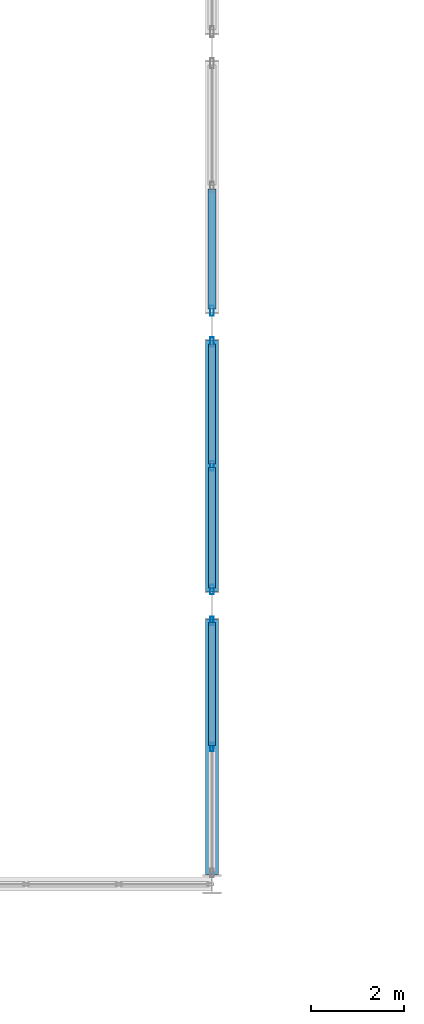
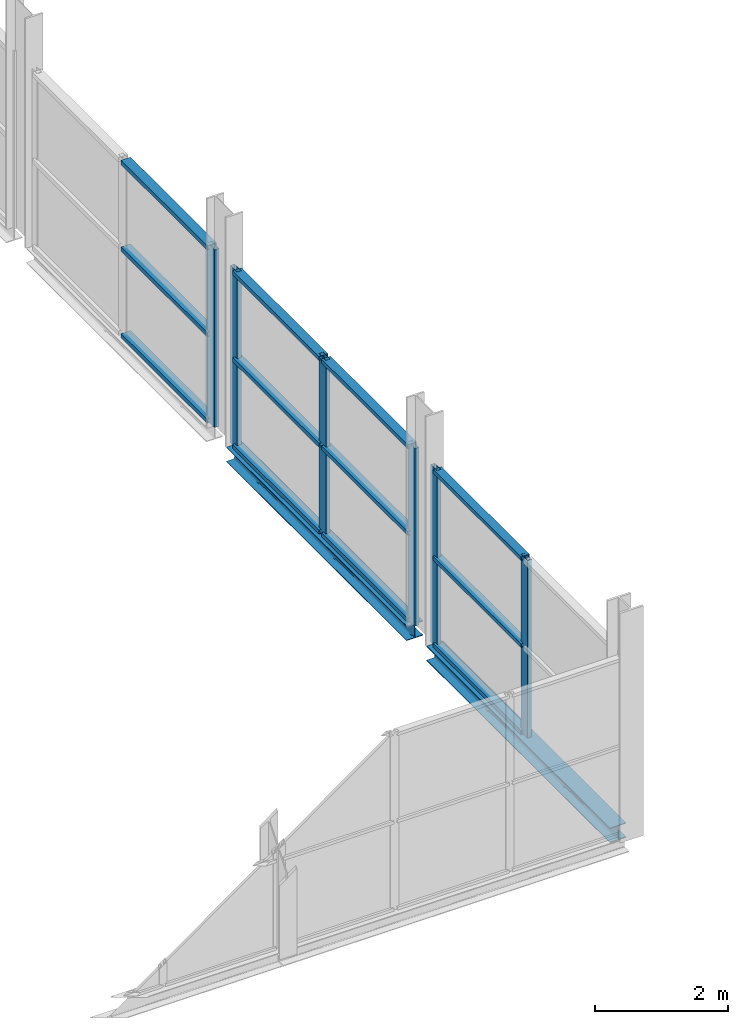
# One storey, part 32 of 135: 18 members, 2 beams, 3 elements without a shape of their own.
"""IFC4 building model written with IfcOpenShell, lengths in metres."""

from ifc_helpers import new_model, si_unit, direction, frame, origin, origin_2d, place, context, subcontext, project, spatial, hollow_rectangle, i_section, extrude, material, layer, layer_set, material_profile, profile_set, type_object, element, aggregate, save


model = new_model("IFC4")

# Units and contexts
model_context = context("Model", 3, precision=1e-05, world=origin(), true_north=direction((0.0, 1.0)))
body_context = subcontext(model_context, "Body", "Model", "MODEL_VIEW")
ifc_project = project(units=[si_unit("LENGTHUNIT", "METRE"), si_unit("AREAUNIT", "SQUARE_METRE"), si_unit("VOLUMEUNIT", "CUBIC_METRE"), si_unit("PLANEANGLEUNIT", "RADIAN"), si_unit("MASSUNIT", "GRAM", prefix="KILO")], contexts=[model_context])

# Site, building, storey
site_placement = place(None, origin())
site = spatial("IfcSite", under=ifc_project, at=site_placement, CompositionType="ELEMENT")
building_placement = place(site_placement, origin())
building = spatial("IfcBuilding", under=site, at=building_placement, Name="Deido Ridge Mobility Hub", CompositionType="ELEMENT")
storey_placement = place(building_placement, frame((0.0, 0.0, 4.199951171875)))
storey = spatial("IfcBuildingStorey", under=building, at=storey_placement, Name="L01", CompositionType="ELEMENT", Elevation=4.199951171875)

# Curtain wall, members
ifc_material_1 = material(Name="Anodised aluminium EN AW-6063 T6", Category="aluminium")
ifc_layer_1 = layer(ifc_material_1, 0.239990234375, Name="Anodised aluminium EN AW-6063 T6")
ifc_layer_set_1 = layer_set([ifc_layer_1], Name="Anodised aluminium EN AW-6063 T6")
curtain_wall_type_1 = type_object("IfcCurtainWallType", Name="CW-UF-6", PredefinedType="USERDEFINED", material=ifc_layer_set_1)
curtain_wall_1_placement = place(storey_placement, origin())
curtain_wall_1 = element("IfcCurtainWall", 1, at=curtain_wall_1_placement, inside=storey, type_object=curtain_wall_type_1, Name="Unitised curtain wall CW6", ObjectType="UNITISED FACADE", PredefinedType="USERDEFINED")
ifc_material_profile_1 = material_profile(ifc_material_1, hollow_rectangle(XDim=0.070068359375, YDim=0.18994140625, WallThickness=0.00390625, at=origin_2d()), Name="RHS 70x190x4")
ifc_profile_set_1 = profile_set([ifc_material_profile_1], Name="Anodised aluminium EN AW-6063 T6")
member_type_1 = type_object("IfcMemberType", Name="MEM-MUL-70X190", PredefinedType="MULLION", material=ifc_profile_set_1)
member_1_placement = place(storey_placement, frame((60.0, 2.9541015625, 0.0), z_axis=(0.0, 0.0, 1.0), x_axis=(-1.0, 0.0, 0.0)))
member_1 = element("IfcMember", 2, at=member_1_placement, type_object=member_type_1, Name="CW6 mullion 2", PredefinedType="MULLION", context=body_context, shape_type="SweptSolid", body=[
    extrude(hollow_rectangle(XDim=0.070068359375, YDim=0.18994140625, WallThickness=0.00390625, at=origin_2d()), origin(), (0.0, 0.0, 1.0), 3.25),
])
member_2_placement = place(storey_placement, frame((60.0, 5.6650390625, 0.0), z_axis=(0.0, 0.0, 1.0), x_axis=(-1.0, 0.0, 0.0)))
member_2 = element("IfcMember", 3, at=member_2_placement, type_object=member_type_1, Name="CW6 mullion 3", PredefinedType="MULLION", context=body_context, shape_type="SweptSolid", body=[
    extrude(hollow_rectangle(XDim=0.070068359375, YDim=0.18994140625, WallThickness=0.00390625, at=origin_2d()), origin(), (0.0, 0.0, 1.0), 3.25),
])

ifc_layer_2 = layer(ifc_material_1, 0.2548828125, Name="Anodised aluminium EN AW-6063 T6")
ifc_layer_set_2 = layer_set([ifc_layer_2], Name="Anodised aluminium EN AW-6063 T6")
curtain_wall_type_2 = type_object("IfcCurtainWallType", Name="CW-UF-7", PredefinedType="USERDEFINED", material=ifc_layer_set_2)
curtain_wall_2_placement = place(storey_placement, origin())
curtain_wall_2 = element("IfcCurtainWall", 4, at=curtain_wall_2_placement, inside=storey, type_object=curtain_wall_type_2, Name="Unitised curtain wall CW7", ObjectType="UNITISED FACADE", PredefinedType="USERDEFINED")
ifc_material_profile_2 = material_profile(ifc_material_1, hollow_rectangle(XDim=0.074951171875, YDim=0.205078125, WallThickness=0.00390625, at=origin_2d()), Name="RHS 75x205x4")
ifc_profile_set_2 = profile_set([ifc_material_profile_2], Name="Anodised aluminium EN AW-6063 T6")
member_type_2 = type_object("IfcMemberType", Name="MEM-MUL-75X205", PredefinedType="MULLION", material=ifc_profile_set_2)
member_3_placement = place(storey_placement, frame((60.0, 6.33740234375, 0.0), z_axis=(0.0, 0.0, 1.0), x_axis=(-1.0, 0.0, 0.0)))
member_3 = element("IfcMember", 5, at=member_3_placement, type_object=member_type_2, Name="CW7 mullion 1", PredefinedType="MULLION", context=body_context, shape_type="SweptSolid", body=[
    extrude(hollow_rectangle(XDim=0.074951171875, YDim=0.205078125, WallThickness=0.00390625, at=origin_2d()), origin(), (0.0, 0.0, 1.0), 3.25),
])
member_4_placement = place(storey_placement, frame((60.0, 9.0, 0.0), z_axis=(0.0, 0.0, 1.0), x_axis=(-1.0, 0.0, 0.0)))
member_4 = element("IfcMember", 6, at=member_4_placement, type_object=member_type_2, Name="CW7 mullion 2", PredefinedType="MULLION", context=body_context, shape_type="SweptSolid", body=[
    extrude(hollow_rectangle(XDim=0.074951171875, YDim=0.205078125, WallThickness=0.00390625, at=origin_2d()), origin(), (0.0, 0.0, 1.0), 3.25),
])
member_5_placement = place(storey_placement, frame((60.0, 11.66259765625, 0.0), z_axis=(0.0, 0.0, 1.0), x_axis=(-1.0, 0.0, 0.0)))
member_5 = element("IfcMember", 7, at=member_5_placement, type_object=member_type_2, Name="CW7 mullion 3", PredefinedType="MULLION", context=body_context, shape_type="SweptSolid", body=[
    extrude(hollow_rectangle(XDim=0.074951171875, YDim=0.205078125, WallThickness=0.00390625, at=origin_2d()), origin(), (0.0, 0.0, 1.0), 3.25),
])

# Curtain wall, member
ifc_layer_3 = layer(ifc_material_1, 0.27001953125, Name="Anodised aluminium EN AW-6063 T6")
ifc_layer_set_3 = layer_set([ifc_layer_3], Name="Anodised aluminium EN AW-6063 T6")
curtain_wall_type_3 = type_object("IfcCurtainWallType", Name="CW-UF-8", PredefinedType="USERDEFINED", material=ifc_layer_set_3)
curtain_wall_3_placement = place(storey_placement, origin())
curtain_wall_3 = element("IfcCurtainWall", 8, at=curtain_wall_3_placement, inside=storey, type_object=curtain_wall_type_3, Name="Unitised curtain wall CW8", ObjectType="UNITISED FACADE", PredefinedType="USERDEFINED")
ifc_material_profile_3 = material_profile(ifc_material_1, hollow_rectangle(XDim=0.080078125, YDim=0.219970703125, WallThickness=0.00390625, at=origin_2d()), Name="RHS 80x220x4")
ifc_profile_set_3 = profile_set([ifc_material_profile_3], Name="Anodised aluminium EN AW-6063 T6")
member_type_3 = type_object("IfcMemberType", Name="MEM-MUL-80X220", PredefinedType="MULLION", material=ifc_profile_set_3)
member_6_placement = place(storey_placement, frame((60.0, 12.340087890625, 0.0), z_axis=(0.0, 0.0, 1.0), x_axis=(-1.0, 0.0, 0.0)))
member_6 = element("IfcMember", 9, at=member_6_placement, type_object=member_type_3, Name="CW8 mullion 1", PredefinedType="MULLION", context=body_context, shape_type="SweptSolid", body=[
    extrude(hollow_rectangle(XDim=0.080078125, YDim=0.219970703125, WallThickness=0.00390625, at=origin_2d()), origin(), (0.0, 0.0, 1.0), 3.25),
])

# Member
ifc_material_profile_4 = material_profile(ifc_material_1, hollow_rectangle(XDim=0.14501953125, YDim=0.070068359375, WallThickness=0.00390625, at=origin_2d()), Name="RHS 145x70x4")
ifc_profile_set_4 = profile_set([ifc_material_profile_4], Name="Anodised aluminium EN AW-6063 T6")
member_type_4 = type_object("IfcMemberType", Name="MEM-TRN-145X70", PredefinedType="USERDEFINED", material=ifc_profile_set_4)
member_7_placement = place(storey_placement, frame((60.0, 2.989013671875, 0.03515625), z_axis=(0.0, 1.0, 0.0), x_axis=(-1.0, 0.0, 0.0)))
member_7 = element("IfcMember", 10, at=member_7_placement, type_object=member_type_4, Name="CW6 transom 2.1", ObjectType="TRANSOM", PredefinedType="USERDEFINED", context=body_context, shape_type="SweptSolid", body=[
    extrude(hollow_rectangle(XDim=0.14501953125, YDim=0.070068359375, WallThickness=0.00390625, at=origin_2d()), origin(), (0.0, 0.0, 1.0), 2.640869140625),
])

member_8_placement = place(storey_placement, frame((60.0, 2.989013671875, 1.625), z_axis=(0.0, 1.0, 0.0), x_axis=(-1.0, 0.0, 0.0)))
member_8 = element("IfcMember", 11, at=member_8_placement, type_object=member_type_4, Name="CW6 transom 2.2", ObjectType="TRANSOM", PredefinedType="USERDEFINED", context=body_context, shape_type="SweptSolid", body=[
    extrude(hollow_rectangle(XDim=0.14501953125, YDim=0.070068359375, WallThickness=0.00390625, at=origin_2d()), origin(), (0.0, 0.0, 1.0), 2.640869140625),
])

member_9_placement = place(storey_placement, frame((60.0, 2.989013671875, 3.215087890625), z_axis=(0.0, 1.0, 0.0), x_axis=(-1.0, 0.0, 0.0)))
member_9 = element("IfcMember", 12, at=member_9_placement, type_object=member_type_4, Name="CW6 transom 2.3", ObjectType="TRANSOM", PredefinedType="USERDEFINED", context=body_context, shape_type="SweptSolid", body=[
    extrude(hollow_rectangle(XDim=0.14501953125, YDim=0.070068359375, WallThickness=0.00390625, at=origin_2d()), origin(), (0.0, 0.0, 1.0), 2.640869140625),
])

aggregate(curtain_wall_1, [member_1, member_2, member_7, member_8, member_9])

ifc_material_profile_5 = material_profile(ifc_material_1, hollow_rectangle(XDim=0.155029296875, YDim=0.074951171875, WallThickness=0.00390625, at=origin_2d()), Name="RHS 155x75x4")
ifc_profile_set_5 = profile_set([ifc_material_profile_5], Name="Anodised aluminium EN AW-6063 T6")
member_type_5 = type_object("IfcMemberType", Name="MEM-TRN-155X75", PredefinedType="USERDEFINED", material=ifc_profile_set_5)
member_10_placement = place(storey_placement, frame((60.0, 6.375, 0.03759765625), z_axis=(0.0, 1.0, 0.0), x_axis=(-1.0, 0.0, 0.0)))
member_10 = element("IfcMember", 13, at=member_10_placement, type_object=member_type_5, Name="CW7 transom 1.1", ObjectType="TRANSOM", PredefinedType="USERDEFINED", context=body_context, shape_type="SweptSolid", body=[
    extrude(hollow_rectangle(XDim=0.155029296875, YDim=0.074951171875, WallThickness=0.00390625, at=origin_2d()), origin(), (0.0, 0.0, 1.0), 2.58740234375),
])

member_11_placement = place(storey_placement, frame((60.0, 6.375, 1.625), z_axis=(0.0, 1.0, 0.0), x_axis=(-1.0, 0.0, 0.0)))
member_11 = element("IfcMember", 14, at=member_11_placement, type_object=member_type_5, Name="CW7 transom 1.2", ObjectType="TRANSOM", PredefinedType="USERDEFINED", context=body_context, shape_type="SweptSolid", body=[
    extrude(hollow_rectangle(XDim=0.155029296875, YDim=0.074951171875, WallThickness=0.00390625, at=origin_2d()), origin(), (0.0, 0.0, 1.0), 2.58740234375),
])

member_12_placement = place(storey_placement, frame((60.0, 6.375, 3.212646484375), z_axis=(0.0, 1.0, 0.0), x_axis=(-1.0, 0.0, 0.0)))
member_12 = element("IfcMember", 15, at=member_12_placement, type_object=member_type_5, Name="CW7 transom 1.3", ObjectType="TRANSOM", PredefinedType="USERDEFINED", context=body_context, shape_type="SweptSolid", body=[
    extrude(hollow_rectangle(XDim=0.155029296875, YDim=0.074951171875, WallThickness=0.00390625, at=origin_2d()), origin(), (0.0, 0.0, 1.0), 2.58740234375),
])

member_13_placement = place(storey_placement, frame((60.0, 9.03759765625, 0.03759765625), z_axis=(0.0, 1.0, 0.0), x_axis=(-1.0, 0.0, 0.0)))
member_13 = element("IfcMember", 16, at=member_13_placement, type_object=member_type_5, Name="CW7 transom 2.1", ObjectType="TRANSOM", PredefinedType="USERDEFINED", context=body_context, shape_type="SweptSolid", body=[
    extrude(hollow_rectangle(XDim=0.155029296875, YDim=0.074951171875, WallThickness=0.00390625, at=origin_2d()), origin(), (0.0, 0.0, 1.0), 2.58740234375),
])

member_14_placement = place(storey_placement, frame((60.0, 9.03759765625, 1.625), z_axis=(0.0, 1.0, 0.0), x_axis=(-1.0, 0.0, 0.0)))
member_14 = element("IfcMember", 17, at=member_14_placement, type_object=member_type_5, Name="CW7 transom 2.2", ObjectType="TRANSOM", PredefinedType="USERDEFINED", context=body_context, shape_type="SweptSolid", body=[
    extrude(hollow_rectangle(XDim=0.155029296875, YDim=0.074951171875, WallThickness=0.00390625, at=origin_2d()), origin(), (0.0, 0.0, 1.0), 2.58740234375),
])

member_15_placement = place(storey_placement, frame((60.0, 9.03759765625, 3.212646484375), z_axis=(0.0, 1.0, 0.0), x_axis=(-1.0, 0.0, 0.0)))
member_15 = element("IfcMember", 18, at=member_15_placement, type_object=member_type_5, Name="CW7 transom 2.3", ObjectType="TRANSOM", PredefinedType="USERDEFINED", context=body_context, shape_type="SweptSolid", body=[
    extrude(hollow_rectangle(XDim=0.155029296875, YDim=0.074951171875, WallThickness=0.00390625, at=origin_2d()), origin(), (0.0, 0.0, 1.0), 2.58740234375),
])

aggregate(curtain_wall_2, [member_3, member_4, member_5, member_10, member_11, member_12, member_13, member_14, member_15])

ifc_material_profile_6 = material_profile(ifc_material_1, hollow_rectangle(XDim=0.1650390625, YDim=0.080078125, WallThickness=0.00390625, at=origin_2d()), Name="RHS 165x80x4")
ifc_profile_set_6 = profile_set([ifc_material_profile_6], Name="Anodised aluminium EN AW-6063 T6")
member_type_6 = type_object("IfcMemberType", Name="MEM-TRN-165X80", PredefinedType="USERDEFINED", material=ifc_profile_set_6)
member_16_placement = place(storey_placement, frame((60.0, 12.3798828125, 0.0400390625), z_axis=(0.0, 1.0, 0.0), x_axis=(-1.0, 0.0, 0.0)))
member_16 = element("IfcMember", 19, at=member_16_placement, type_object=member_type_6, Name="CW8 transom 1.1", ObjectType="TRANSOM", PredefinedType="USERDEFINED", context=body_context, shape_type="SweptSolid", body=[
    extrude(hollow_rectangle(XDim=0.1650390625, YDim=0.080078125, WallThickness=0.00390625, at=origin_2d()), origin(), (0.0, 0.0, 1.0), 2.580078125),
])

member_17_placement = place(storey_placement, frame((60.0, 12.3798828125, 1.625), z_axis=(0.0, 1.0, 0.0), x_axis=(-1.0, 0.0, 0.0)))
member_17 = element("IfcMember", 20, at=member_17_placement, type_object=member_type_6, Name="CW8 transom 1.2", ObjectType="TRANSOM", PredefinedType="USERDEFINED", context=body_context, shape_type="SweptSolid", body=[
    extrude(hollow_rectangle(XDim=0.1650390625, YDim=0.080078125, WallThickness=0.00390625, at=origin_2d()), origin(), (0.0, 0.0, 1.0), 2.580078125),
])

member_18_placement = place(storey_placement, frame((60.0, 12.3798828125, 3.2099609375), z_axis=(0.0, 1.0, 0.0), x_axis=(-1.0, 0.0, 0.0)))
member_18 = element("IfcMember", 21, at=member_18_placement, type_object=member_type_6, Name="CW8 transom 1.3", ObjectType="TRANSOM", PredefinedType="USERDEFINED", context=body_context, shape_type="SweptSolid", body=[
    extrude(hollow_rectangle(XDim=0.1650390625, YDim=0.080078125, WallThickness=0.00390625, at=origin_2d()), origin(), (0.0, 0.0, 1.0), 2.580078125),
])

aggregate(curtain_wall_3, [member_6, member_16, member_17, member_18])

# Beams
ifc_material_2 = material(Name="Steel S355J2 EN 10025-2", Category="steel")
ifc_material_profile_7 = material_profile(ifc_material_2, i_section(OverallWidth=0.280029296875, OverallDepth=0.27001953125, WebThickness=0.008056640625, FlangeThickness=0.012939453125, FilletRadius=0.02392578125, at=origin_2d()), Name="HEA 280")
ifc_profile_set_7 = profile_set([ifc_material_profile_7], Name="Steel S355J2 EN 10025-2")
beam_type = type_object("IfcBeamType", Name="SPD-HEA280", PredefinedType="SPANDREL", material=ifc_profile_set_7)
beam_1_placement = place(storey_placement, frame((60.0, 0.2080078125, -0.135009765625), z_axis=(0.0, 1.0, 0.0), x_axis=(-1.0, 0.0, 0.0)))
element("IfcBeam", 22, at=beam_1_placement, inside=storey, type_object=beam_type, Name="Concourse perimeter wind girt SP2", PredefinedType="SPANDREL", context=body_context, shape_type="SweptSolid", body=[
    extrude(i_section(OverallWidth=0.280029296875, OverallDepth=0.27001953125, WebThickness=0.008056640625, FlangeThickness=0.012939453125, FilletRadius=0.02392578125, at=origin_2d()), origin(), (0.0, 0.0, 1.0), 5.491943359375),
])
beam_2_placement = place(storey_placement, frame((60.0, 6.300048828125, -0.135009765625), z_axis=(0.0, 1.0, 0.0), x_axis=(-1.0, 0.0, 0.0)))
element("IfcBeam", 23, at=beam_2_placement, inside=storey, type_object=beam_type, Name="Concourse perimeter wind girt SP2", PredefinedType="SPANDREL", context=body_context, shape_type="SweptSolid", body=[
    extrude(i_section(OverallWidth=0.280029296875, OverallDepth=0.27001953125, WebThickness=0.008056640625, FlangeThickness=0.012939453125, FilletRadius=0.02392578125, at=origin_2d()), origin(), (0.0, 0.0, 1.0), 5.39990234375),
])

save(model, "model.ifc")
